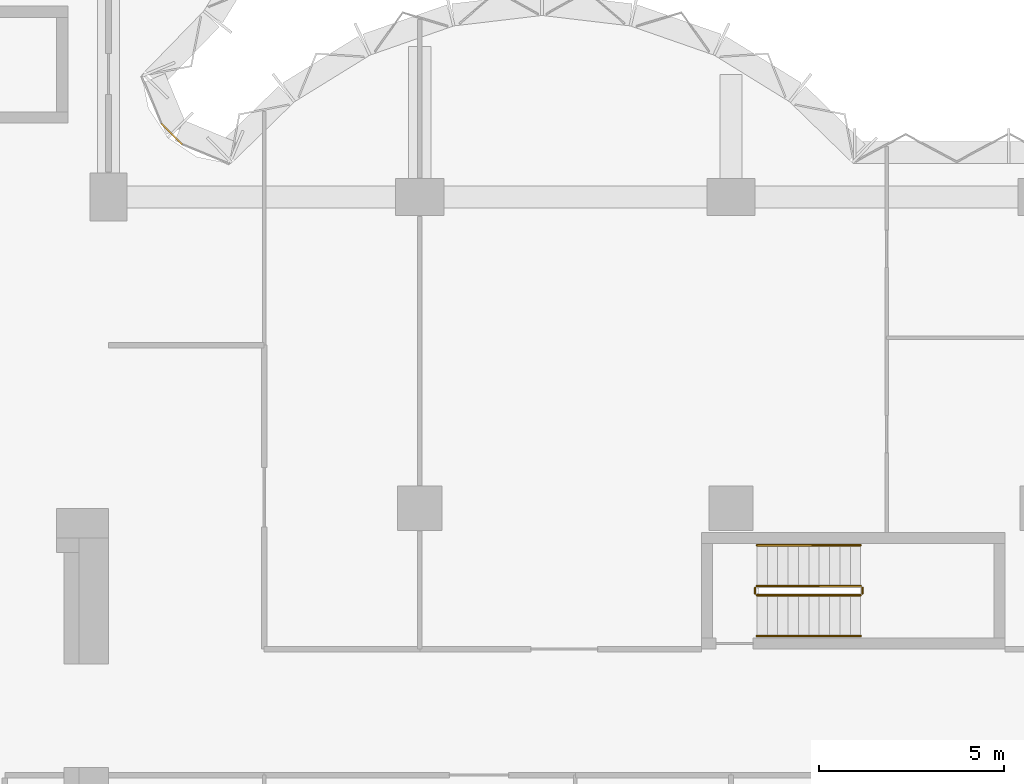
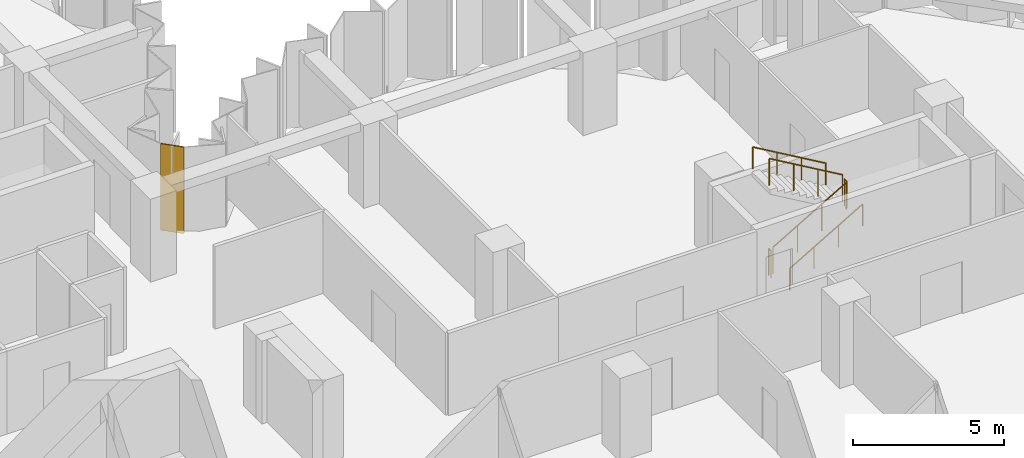
# One storey, part 11 of 11: 6 railings, 1 covering, 1 element without a shape of its own.
"""IFC4 building model written with IfcOpenShell, lengths in metres."""

from ifc_helpers import new_model, si_unit, direction, frame, origin, origin_2d, place, context, subcontext, project, spatial, polyline, circle, outline, extrude, material, layer, layer_set, type_object, element, aggregate, save


model = new_model("IFC4")

# Units and contexts
model_context = context("Model", 3, precision=1e-05, world=origin(), true_north=direction((0.0, 1.0)))
body_context = subcontext(model_context, "Body", "Model", "MODEL_VIEW")
ifc_project = project(units=[si_unit("LENGTHUNIT", "METRE"), si_unit("AREAUNIT", "SQUARE_METRE"), si_unit("VOLUMEUNIT", "CUBIC_METRE"), si_unit("PLANEANGLEUNIT", "RADIAN"), si_unit("MASSUNIT", "GRAM", prefix="KILO")], contexts=[model_context])

# Site, building, storey
site_placement = place(None, origin())
site = spatial("IfcSite", under=ifc_project, at=site_placement, CompositionType="ELEMENT")
building_placement = place(site_placement, origin())
building = spatial("IfcBuilding", under=site, at=building_placement, Name="Brevane Broadcast Tower", CompositionType="ELEMENT")
storey_placement = place(building_placement, frame((0.0, 0.0, 142.10009765625)))
storey = spatial("IfcBuildingStorey", under=building, at=storey_placement, Name="L35", CompositionType="ELEMENT", Elevation=142.10009765625)

# Railings
ifc_material_1 = material(Name="Steel S355", Category="steel")
railing_type_1 = type_object("IfcRailingType", Name="Exit stair guard", PredefinedType="GUARDRAIL", material=ifc_material_1)
railing_1_placement = place(storey_placement, frame((42.699951171875, 14.449951171875, 0.16357421875)))
element("IfcRailing", 1, at=railing_1_placement, inside=storey, type_object=railing_type_1, Name="L35 ST-4 stair guard 1", PredefinedType="GUARDRAIL", context=body_context, shape_type="SweptSolid", body=[
    extrude(circle(Radius=0.02392578125, at=origin_2d()), frame((0.0, 0.0, 1.076171875), z_axis=(0.863393664356, 0.0, 0.504530851732), x_axis=(0.0, 1.0, 0.0)), (0.0, 0.0, 1.0), 3.2431640625),
    extrude(circle(Radius=0.02099609375, at=origin_2d()), origin(), (0.0, 0.0, 1.0), 1.052001953125),
    extrude(circle(Radius=0.02099609375, at=origin_2d()), frame((0.933349609375, 0.0, 0.54541015625)), (0.0, 0.0, 1.0), 1.052001953125),
    extrude(circle(Radius=0.02099609375, at=origin_2d()), frame((1.86669921875, 0.0, 1.0908203125)), (0.0, 0.0, 1.0), 1.052001953125),
    extrude(circle(Radius=0.02099609375, at=origin_2d()), frame((2.800048828125, 0.0, 1.63623046875)), (0.0, 0.0, 1.0), 1.052001953125),
])
railing_2_placement = place(storey_placement, frame((45.550048828125, 14.5, 1.7998046875)))
element("IfcRailing", 2, at=railing_2_placement, inside=storey, type_object=railing_type_1, Name="L35 ST-4 stair guard 2", PredefinedType="GUARDRAIL", context=body_context, shape_type="SweptSolid", body=[
    extrude(circle(Radius=0.02392578125, at=origin_2d()), frame((0.0, 0.0, 1.076171875), z_axis=(0.0, 1.0, 0.0), x_axis=(-1.0, 0.0, 0.0)), (0.0, 0.0, 1.0), 0.14990234375),
    extrude(circle(Radius=0.02099609375, at=origin_2d()), origin(), (0.0, 0.0, 1.0), 1.052001953125),
    extrude(circle(Radius=0.02099609375, at=origin_2d()), frame((0.0, 0.14990234375, 0.0)), (0.0, 0.0, 1.0), 1.052001953125),
])
railing_3_placement = place(storey_placement, frame((45.5, 14.699951171875, 1.963623046875)))
element("IfcRailing", 3, at=railing_3_placement, inside=storey, type_object=railing_type_1, Name="L35 ST-4 stair guard 3", PredefinedType="GUARDRAIL", context=body_context, shape_type="SweptSolid", body=[
    extrude(circle(Radius=0.02392578125, at=origin_2d()), frame((0.0, 0.0, 1.076171875), z_axis=(-0.863393664356, 0.0, 0.504530851732), x_axis=(0.0, -1.0, 0.0)), (0.0, 0.0, 1.0), 3.2431640625),
    extrude(circle(Radius=0.02099609375, at=origin_2d()), origin(), (0.0, 0.0, 1.0), 1.052001953125),
    extrude(circle(Radius=0.02099609375, at=origin_2d()), frame((-0.933349609375, 0.0, 0.54541015625)), (0.0, 0.0, 1.0), 1.052001953125),
    extrude(circle(Radius=0.02099609375, at=origin_2d()), frame((-1.86669921875, 0.0, 1.0908203125)), (0.0, 0.0, 1.0), 1.052001953125),
    extrude(circle(Radius=0.02099609375, at=origin_2d()), frame((-2.800048828125, 0.0, 1.63623046875)), (0.0, 0.0, 1.0), 1.052001953125),
])
railing_4_placement = place(storey_placement, frame((42.64990234375, 14.5, 0.0)))
element("IfcRailing", 4, at=railing_4_placement, inside=storey, type_object=railing_type_1, Name="L35 ST-4 stair guard 4", PredefinedType="GUARDRAIL", context=body_context, shape_type="SweptSolid", body=[
    extrude(circle(Radius=0.02392578125, at=origin_2d()), frame((0.0, 0.0, 1.076171875), z_axis=(0.0, 1.0, 0.0), x_axis=(-1.0, 0.0, 0.0)), (0.0, 0.0, 1.0), 0.14990234375),
    extrude(circle(Radius=0.02099609375, at=origin_2d()), origin(), (0.0, 0.0, 1.0), 1.052001953125),
    extrude(circle(Radius=0.02099609375, at=origin_2d()), frame((0.0, 0.14990234375, 0.0)), (0.0, 0.0, 1.0), 1.052001953125),
])
railing_type_2 = type_object("IfcRailingType", Name="Exit stair handrail", PredefinedType="HANDRAIL", material=ifc_material_1)
railing_5_placement = place(storey_placement, frame((42.699951171875, 13.35009765625, 0.16357421875)))
element("IfcRailing", 5, at=railing_5_placement, inside=storey, type_object=railing_type_2, Name="L35 ST-4 stair handrail 1", PredefinedType="HANDRAIL", context=body_context, shape_type="SweptSolid", body=[
    extrude(circle(Radius=0.02392578125, at=origin_2d()), frame((0.0, 0.0, 0.8759765625), z_axis=(0.863393664356, 0.0, 0.504530851732), x_axis=(0.0, 1.0, 0.0)), (0.0, 0.0, 1.0), 3.2431640625),
    extrude(circle(Radius=0.02099609375, at=origin_2d()), origin(), (0.0, 0.0, 1.0), 0.851806640625),
    extrude(circle(Radius=0.02099609375, at=origin_2d()), frame((0.933349609375, 0.0, 0.54541015625)), (0.0, 0.0, 1.0), 0.851806640625),
    extrude(circle(Radius=0.02099609375, at=origin_2d()), frame((1.86669921875, 0.0, 1.0908203125)), (0.0, 0.0, 1.0), 0.851806640625),
    extrude(circle(Radius=0.02099609375, at=origin_2d()), frame((2.800048828125, 0.0, 1.63623046875)), (0.0, 0.0, 1.0), 0.851806640625),
])
railing_6_placement = place(storey_placement, frame((45.5, 15.800048828125, 1.963623046875)))
element("IfcRailing", 6, at=railing_6_placement, inside=storey, type_object=railing_type_2, Name="L35 ST-4 stair handrail 2", PredefinedType="HANDRAIL", context=body_context, shape_type="SweptSolid", body=[
    extrude(circle(Radius=0.02392578125, at=origin_2d()), frame((0.0, 0.0, 0.8759765625), z_axis=(-0.863393664356, 0.0, 0.504530851732), x_axis=(0.0, -1.0, 0.0)), (0.0, 0.0, 1.0), 3.2431640625),
    extrude(circle(Radius=0.02099609375, at=origin_2d()), origin(), (0.0, 0.0, 1.0), 0.851806640625),
    extrude(circle(Radius=0.02099609375, at=origin_2d()), frame((-0.933349609375, 0.0, 0.54541015625)), (0.0, 0.0, 1.0), 0.851806640625),
    extrude(circle(Radius=0.02099609375, at=origin_2d()), frame((-1.86669921875, 0.0, 1.0908203125)), (0.0, 0.0, 1.0), 0.851806640625),
    extrude(circle(Radius=0.02099609375, at=origin_2d()), frame((-2.800048828125, 0.0, 1.63623046875)), (0.0, 0.0, 1.0), 0.851806640625),
])

# Curtain wall, covering
ifc_material_2 = material(Name="Aluminium 6063-T6 bronze anodised", Category="aluminium")
curtain_wall_type = type_object("IfcCurtainWallType", Name="CW-1 curtain wall", PredefinedType="NOTDEFINED", material=ifc_material_2)
curtain_wall_placement = place(storey_placement, origin())
curtain_wall = element("IfcCurtainWall", 7, at=curtain_wall_placement, inside=storey, type_object=curtain_wall_type, Name="CW-1 typical tilted unit L35 inner corner", PredefinedType="NOTDEFINED")
ifc_material_3 = material(Name="Back-painted bronze glass shadow-box", Category="glass")
ifc_layer = layer(ifc_material_3, 0.0400390625)
ifc_layer_set = layer_set([ifc_layer], Name="Shadow-box panel 40")
covering_type = type_object("IfcCoveringType", Name="Shadow-box panel 40", PredefinedType="CLADDING", material=ifc_layer_set)
covering_placement = place(storey_placement, frame((0.0, 0.0, -0.150146484375)))
covering = element("IfcCovering", 8, at=covering_placement, type_object=covering_type, Name="Closure panel", PredefinedType="CLADDING", context=body_context, shape_type="SweptSolid", body=[
    extrude(outline(polyline([(27.17138671875, 26.60498046875), (27.2021484375, 26.635498046875), (26.635498046875, 27.2021484375), (26.60498046875, 27.17138671875), (27.17138671875, 26.60498046875)])), origin(), (0.0, 0.0, 1.0), 3.5),
])
aggregate(curtain_wall, [covering])

save(model, "model.ifc")
